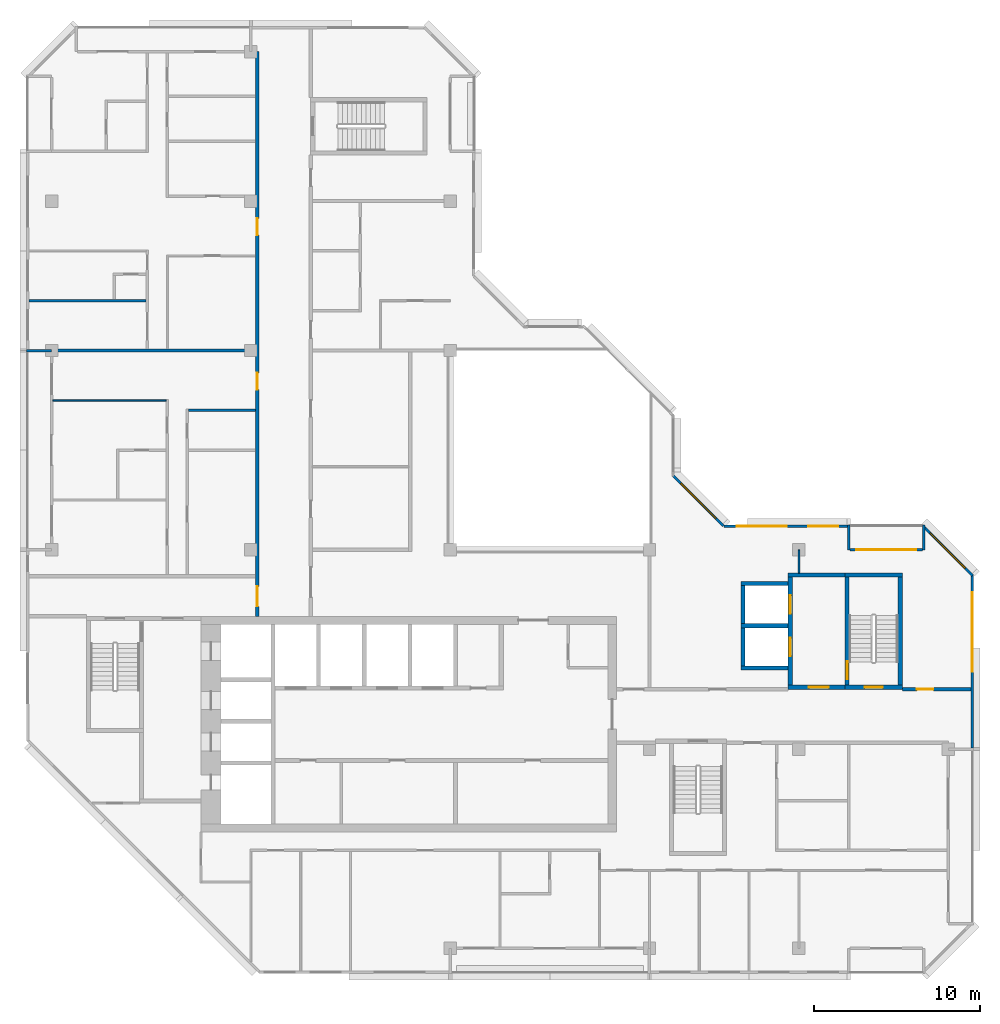
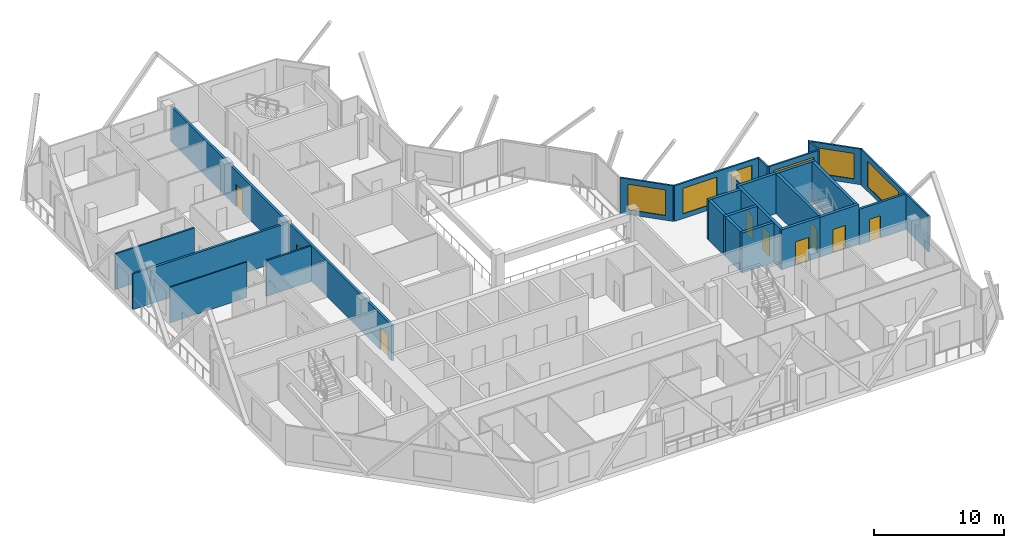
# One storey, part 7 of 12: 27 walls, 9 doors, 6 windows, 15 openings.
"""IFC4 building model written with IfcOpenShell, lengths in metres."""

from ifc_helpers import new_model, si_unit, direction, frame, frame_2d, origin, place, context, subcontext, project, spatial, rectangle, extrude, material, layer, layer_set, type_object, element, fill, save


model = new_model("IFC4")

# Units and contexts
model_context = context("Model", 3, precision=1e-05, world=origin(), true_north=direction((0.0, 1.0)))
body_context = subcontext(model_context, "Body", "Model", "MODEL_VIEW")
ifc_project = project(units=[si_unit("LENGTHUNIT", "METRE"), si_unit("AREAUNIT", "SQUARE_METRE"), si_unit("VOLUMEUNIT", "CUBIC_METRE"), si_unit("PLANEANGLEUNIT", "RADIAN"), si_unit("MASSUNIT", "GRAM", prefix="KILO")], contexts=[model_context])

# Site, building, storey
site_placement = place(None, origin())
site = spatial("IfcSite", under=ifc_project, at=site_placement, CompositionType="ELEMENT")
building_placement = place(site_placement, origin())
building = spatial("IfcBuilding", under=site, at=building_placement, Name="Chenar Terraces", CompositionType="ELEMENT")
storey_placement = place(building_placement, frame((0.0, 0.0, 353.89990234375)))
storey = spatial("IfcBuildingStorey", under=building, at=storey_placement, Name="L82", CompositionType="ELEMENT", Elevation=353.89990234375)

# Wall, opening, door
ifc_material_1 = material(Name="Concrete C50/60", Category="concrete")
ifc_layer_1 = layer(ifc_material_1, 0.25)
ifc_layer_set_1 = layer_set([ifc_layer_1], Name="Concrete C50/60")
wall_type_1 = type_object("IfcWallType", Name="Core wall 250 Concrete C50/60", PredefinedType="SHEAR", material=ifc_layer_set_1)
wall_1_placement = place(storey_placement, frame((47.77490234375, 15.72509765625, 0.0), z_axis=(0.0, 0.0, 1.0), x_axis=(1.0, 0.0, 0.0)))
wall_1 = element("IfcWall", 1, at=wall_1_placement, inside=storey, type_object=wall_type_1, Name="Core wall ST3_S L82", PredefinedType="SHEAR", context=body_context, shape_type="SweptSolid", body=[
    extrude(rectangle(XDim=3.4501953125, YDim=0.25, at=frame_2d((1.72509765625, 0.0))), origin(), (0.0, 0.0, 1.0), 3.75),
])
opening_1_placement = place(wall_1_placement, frame((1.175048828125, 0.0, 0.0)))
opening_1 = element("IfcOpeningElement", 2, at=opening_1_placement, cuts=wall_1, Name="Opening DL82-C8", PredefinedType="OPENING", context=body_context, shape_type="SweptSolid", body=[
    extrude(rectangle(XDim=1.10009765625, YDim=2.199951171875, at=frame_2d((0.550048828125, 1.10009765625))), frame((0.0, 0.135009765625, 0.0), z_axis=(0.0, -1.0, 0.0), x_axis=(1.0, 0.0, 0.0)), (0.0, 0.0, 1.0), 0.27001953125),
])
ifc_material_2 = material(Name="Steel-framed fire-resisting door leaf", Category="steel")
door_type_1 = type_object("IfcDoorType", Name="Stair fire door FD60 1100 x 2200", OperationType="SINGLE_SWING_LEFT", PredefinedType="DOOR", material=ifc_material_2)
door_1_placement = place(opening_1_placement, frame((1.10009765625, 0.0, 0.0), z_axis=(0.0, 0.0, 1.0), x_axis=(-1.0, 0.0, 0.0)))
door_1 = element("IfcDoor", 3, at=door_1_placement, inside=storey, type_object=door_type_1, Name="Stair door DL82-C8", OperationType="SINGLE_SWING_LEFT", OverallHeight=2.199951171875, OverallWidth=1.10009765625, PredefinedType="DOOR", context=body_context, shape_type="SweptSolid", body=[
    extrude(rectangle(XDim=1.10009765625, YDim=2.199951171875, at=frame_2d((0.550048828125, 1.10009765625))), frame((0.0, 0.02490234375, 0.0), z_axis=(0.0, -1.0, 0.0), x_axis=(1.0, 0.0, 0.0)), (0.0, 0.0, 1.0), 0.050048828125),
])
fill(opening_1, door_1)

# Wall
wall_2_placement = place(storey_placement, frame((47.77490234375, 22.47509765625, 0.0), z_axis=(0.0, 0.0, 1.0), x_axis=(1.0, 0.0, 0.0)))
element("IfcWall", 4, at=wall_2_placement, inside=storey, type_object=wall_type_1, Name="Core wall ST3_N L82", PredefinedType="SHEAR", context=body_context, shape_type="SweptSolid", body=[
    extrude(rectangle(XDim=3.4501953125, YDim=0.25, at=frame_2d((1.72509765625, 0.0))), origin(), (0.0, 0.0, 1.0), 3.75),
])

# Wall, opening, door
wall_3_placement = place(storey_placement, frame((47.89990234375, 15.85009765625, 0.0), z_axis=(0.0, 0.0, 1.0), x_axis=(0.0, 1.0, 0.0)))
wall_3 = element("IfcWall", 5, at=wall_3_placement, inside=storey, type_object=wall_type_1, Name="Core wall ST3_W L82", PredefinedType="SHEAR", context=body_context, shape_type="SweptSolid", body=[
    extrude(rectangle(XDim=6.5, YDim=0.25, at=frame_2d((3.25, 0.0))), origin(), (0.0, 0.0, 1.0), 3.75),
])
opening_2_placement = place(wall_3_placement, frame((0.35009765625, 0.0, 0.0)))
opening_2 = element("IfcOpeningElement", 6, at=opening_2_placement, cuts=wall_3, Name="Opening DL82-C11", PredefinedType="OPENING", context=body_context, shape_type="SweptSolid", body=[
    extrude(rectangle(XDim=1.10009765625, YDim=2.199951171875, at=frame_2d((0.550048828125, 1.10009765625))), frame((0.0, 0.135009765625, 0.0), z_axis=(0.0, -1.0, 0.0), x_axis=(1.0, 0.0, 0.0)), (0.0, 0.0, 1.0), 0.27001953125),
])
door_2_placement = place(opening_2_placement, frame((1.10009765625, 0.0, 0.0), z_axis=(0.0, 0.0, 1.0), x_axis=(-1.0, 0.0, 0.0)))
door_2 = element("IfcDoor", 7, at=door_2_placement, inside=storey, type_object=door_type_1, Name="Stair door DL82-C11", OperationType="SINGLE_SWING_RIGHT", OverallHeight=2.199951171875, OverallWidth=1.10009765625, PredefinedType="DOOR", context=body_context, shape_type="SweptSolid", body=[
    extrude(rectangle(XDim=1.10009765625, YDim=2.199951171875, at=frame_2d((0.550048828125, 1.10009765625))), frame((0.0, 0.02490234375, 0.0), z_axis=(0.0, -1.0, 0.0), x_axis=(1.0, 0.0, 0.0)), (0.0, 0.0, 1.0), 0.050048828125),
])
fill(opening_2, door_2)

# Wall
wall_4_placement = place(storey_placement, frame((51.10009765625, 15.85009765625, 0.0), z_axis=(0.0, 0.0, 1.0), x_axis=(0.0, 1.0, 0.0)))
element("IfcWall", 8, at=wall_4_placement, inside=storey, type_object=wall_type_1, Name="Core wall ST3_E L82", PredefinedType="SHEAR", context=body_context, shape_type="SweptSolid", body=[
    extrude(rectangle(XDim=6.5, YDim=0.25, at=frame_2d((3.25, 0.0))), origin(), (0.0, 0.0, 1.0), 3.75),
])

# Wall, opening, door
wall_5_placement = place(storey_placement, frame((44.35009765625, 15.72509765625, 0.0), z_axis=(0.0, 0.0, 1.0), x_axis=(1.0, 0.0, 0.0)))
wall_5 = element("IfcWall", 9, at=wall_5_placement, inside=storey, type_object=wall_type_1, Name="Core wall F3_LS L82", PredefinedType="SHEAR", context=body_context, shape_type="SweptSolid", body=[
    extrude(rectangle(XDim=3.4248046875, YDim=0.25, at=frame_2d((1.71240234375, 0.0))), origin(), (0.0, 0.0, 1.0), 3.75),
])
opening_3_placement = place(wall_5_placement, frame((1.25, 0.0, 0.0)))
opening_3 = element("IfcOpeningElement", 10, at=opening_3_placement, cuts=wall_5, Name="Opening DL82-C10", PredefinedType="OPENING", context=body_context, shape_type="SweptSolid", body=[
    extrude(rectangle(XDim=1.199951171875, YDim=2.199951171875, at=frame_2d((0.60009765625, 1.10009765625))), frame((0.0, 0.135009765625, 0.0), z_axis=(0.0, -1.0, 0.0), x_axis=(1.0, 0.0, 0.0)), (0.0, 0.0, 1.0), 0.27001953125),
])
ifc_material_3 = material(Name="Steel-framed fire-resisting door leaf", Category="steel")
door_type_2 = type_object("IfcDoorType", Name="Lobby fire door FD60 1200 x 2200", OperationType="SINGLE_SWING_LEFT", PredefinedType="DOOR", material=ifc_material_3)
door_3_placement = place(opening_3_placement, origin())
door_3 = element("IfcDoor", 11, at=door_3_placement, inside=storey, type_object=door_type_2, Name="Core door DL82-C10", OperationType="SINGLE_SWING_RIGHT", OverallHeight=2.199951171875, OverallWidth=1.199951171875, PredefinedType="DOOR", context=body_context, shape_type="SweptSolid", body=[
    extrude(rectangle(XDim=1.199951171875, YDim=2.199951171875, at=frame_2d((0.60009765625, 1.10009765625))), frame((0.0, 0.02490234375, 0.0), z_axis=(0.0, -1.0, 0.0), x_axis=(1.0, 0.0, 0.0)), (0.0, 0.0, 1.0), 0.050048828125),
])
fill(opening_3, door_3)

# Wall
wall_6_placement = place(storey_placement, frame((44.35009765625, 22.47509765625, 0.0), z_axis=(0.0, 0.0, 1.0), x_axis=(1.0, 0.0, 0.0)))
element("IfcWall", 12, at=wall_6_placement, inside=storey, type_object=wall_type_1, Name="Core wall F3_LN L82", PredefinedType="SHEAR", context=body_context, shape_type="SweptSolid", body=[
    extrude(rectangle(XDim=3.4248046875, YDim=0.25, at=frame_2d((1.71240234375, 0.0))), origin(), (0.0, 0.0, 1.0), 3.75),
])

# Wall, openings, doors
wall_7_placement = place(storey_placement, frame((44.47509765625, 15.85009765625, 0.0), z_axis=(0.0, 0.0, 1.0), x_axis=(0.0, 1.0, 0.0)))
wall_7 = element("IfcWall", 13, at=wall_7_placement, inside=storey, type_object=wall_type_1, Name="Core wall F3_LW L82", PredefinedType="SHEAR", context=body_context, shape_type="SweptSolid", body=[
    extrude(rectangle(XDim=6.5, YDim=0.25, at=frame_2d((3.25, 0.0))), origin(), (0.0, 0.0, 1.0), 3.75),
])
opening_4_placement = place(wall_7_placement, frame((1.75, 0.0, 0.0)))
opening_4 = element("IfcOpeningElement", 14, at=opening_4_placement, cuts=wall_7, Name="Opening DL82-LD8", PredefinedType="OPENING", context=body_context, shape_type="SweptSolid", body=[
    extrude(rectangle(XDim=1.10009765625, YDim=2.199951171875, at=frame_2d((0.550048828125, 1.10009765625))), frame((0.0, 0.135009765625, 0.0), z_axis=(0.0, -1.0, 0.0), x_axis=(1.0, 0.0, 0.0)), (0.0, 0.0, 1.0), 0.27001953125),
])
opening_5_placement = place(wall_7_placement, frame((4.300048828125, 0.0, 0.0)))
opening_5 = element("IfcOpeningElement", 15, at=opening_5_placement, cuts=wall_7, Name="Opening DL82-LD9", PredefinedType="OPENING", context=body_context, shape_type="SweptSolid", body=[
    extrude(rectangle(XDim=1.10009765625, YDim=2.199951171875, at=frame_2d((0.550048828125, 1.10009765625))), frame((0.0, 0.135009765625, 0.0), z_axis=(0.0, -1.0, 0.0), x_axis=(1.0, 0.0, 0.0)), (0.0, 0.0, 1.0), 0.27001953125),
])
ifc_material_4 = material(Name="Stainless steel", Category="steel")
door_type_3 = type_object("IfcDoorType", Name="Lift landing door 1100 x 2200 sliding", OperationType="DOUBLE_DOOR_SLIDING", PredefinedType="DOOR", material=ifc_material_4)
door_4_placement = place(opening_4_placement, origin())
door_4 = element("IfcDoor", 16, at=door_4_placement, inside=storey, type_object=door_type_3, Name="Landing door F3", OperationType="DOUBLE_DOOR_SLIDING", OverallHeight=2.199951171875, OverallWidth=1.10009765625, PredefinedType="DOOR", context=body_context, shape_type="SweptSolid", body=[
    extrude(rectangle(XDim=1.10009765625, YDim=2.199951171875, at=frame_2d((0.550048828125, 1.10009765625))), frame((0.0, 0.02490234375, 0.0), z_axis=(0.0, -1.0, 0.0), x_axis=(1.0, 0.0, 0.0)), (0.0, 0.0, 1.0), 0.050048828125),
])
fill(opening_4, door_4)
door_5_placement = place(opening_5_placement, origin())
door_5 = element("IfcDoor", 17, at=door_5_placement, inside=storey, type_object=door_type_3, Name="Landing door F4", OperationType="DOUBLE_DOOR_SLIDING", OverallHeight=2.199951171875, OverallWidth=1.10009765625, PredefinedType="DOOR", context=body_context, shape_type="SweptSolid", body=[
    extrude(rectangle(XDim=1.10009765625, YDim=2.199951171875, at=frame_2d((0.550048828125, 1.10009765625))), frame((0.0, 0.02490234375, 0.0), z_axis=(0.0, -1.0, 0.0), x_axis=(1.0, 0.0, 0.0)), (0.0, 0.0, 1.0), 0.050048828125),
])
fill(opening_5, door_5)

# Walls
for number, where, z_axis, x_axis, name in (
    (18, (41.5, 16.875, 0.0), (0.0, 0.0, 1.0), (1.0, 0.0, 0.0), "Core wall F3_SS L82"),
    (19, (41.5, 19.425048828125, 0.0), (0.0, 0.0, 1.0), (1.0, 0.0, 0.0), "Core wall F3_SM L82"),
    (20, (41.5, 21.97509765625, 0.0), (0.0, 0.0, 1.0), (1.0, 0.0, 0.0), "Core wall F4_SN L82"),
):
    element("IfcWall", number, at=place(storey_placement, frame(where, z_axis=z_axis, x_axis=x_axis)), inside=storey, type_object=wall_type_1, Name=name, PredefinedType="SHEAR", context=body_context, shape_type="SweptSolid", body=[
        extrude(rectangle(XDim=2.85009765625, YDim=0.25, at=frame_2d((1.425048828125, 0.0))), origin(), (0.0, 0.0, 1.0), 3.75),
    ])
for number, where, z_axis, x_axis, name in (
    (21, (41.625, 17.0, 0.0), (0.0, 0.0, 1.0), (0.0, 1.0, 0.0), "Core wall F3_SW L82"),
    (22, (41.625, 19.550048828125, 0.0), (0.0, 0.0, 1.0), (0.0, 1.0, 0.0), "Core wall F4_SW L82"),
):
    element("IfcWall", number, at=place(storey_placement, frame(where, z_axis=z_axis, x_axis=x_axis)), inside=storey, type_object=wall_type_1, Name=name, PredefinedType="SHEAR", context=body_context, shape_type="SweptSolid", body=[
        extrude(rectangle(XDim=2.300048828125, YDim=0.25, at=frame_2d((1.14990234375, 0.0))), origin(), (0.0, 0.0, 1.0), 3.75),
    ])

# Wall, openings, doors
ifc_material_5 = material(Name="Gypsum board on steel studs with fire boards", Category="steel")
ifc_layer_2 = layer(ifc_material_5, 0.199951171875)
ifc_layer_set_2 = layer_set([ifc_layer_2], Name="Gypsum board on steel studs with fire boards")
wall_type_2 = type_object("IfcWallType", Name="Corridor wall 200", PredefinedType="PARTITIONING", material=ifc_layer_set_2)
wall_8_placement = place(storey_placement, frame((12.375, 20.0, 0.0), z_axis=(0.0, 0.0, 1.0), x_axis=(0.0, 1.0, 0.0)))
wall_8 = element("IfcWall", 23, at=wall_8_placement, inside=storey, type_object=wall_type_2, Name="Partition L82-032", PredefinedType="PARTITIONING", context=body_context, shape_type="SweptSolid", body=[
    extrude(rectangle(XDim=34.0, YDim=0.199951171875, at=frame_2d((17.0, 0.0))), origin(), (0.0, 0.0, 1.0), 3.35009765625),
])
opening_6_placement = place(wall_8_placement, frame((22.949951171875, 0.0, 0.0)))
opening_6 = element("IfcOpeningElement", 24, at=opening_6_placement, cuts=wall_8, Name="Opening DL82-13", PredefinedType="OPENING", context=body_context, shape_type="SweptSolid", body=[
    extrude(rectangle(XDim=1.0, YDim=2.10009765625, at=frame_2d((0.5, 1.050048828125))), frame((0.0, 0.10986328125, 0.0), z_axis=(0.0, -1.0, 0.0), x_axis=(1.0, 0.0, 0.0)), (0.0, 0.0, 1.0), 0.219970703125),
])
opening_7_placement = place(wall_8_placement, frame((0.60009765625, 0.0, 0.0)))
opening_7 = element("IfcOpeningElement", 25, at=opening_7_placement, cuts=wall_8, Name="Opening DL82-20", PredefinedType="OPENING", context=body_context, shape_type="SweptSolid", body=[
    extrude(rectangle(XDim=1.199951171875, YDim=2.10009765625, at=frame_2d((0.60009765625, 1.050048828125))), frame((0.0, 0.10986328125, 0.0), z_axis=(0.0, -1.0, 0.0), x_axis=(1.0, 0.0, 0.0)), (0.0, 0.0, 1.0), 0.219970703125),
])
opening_8_placement = place(wall_8_placement, frame((13.64990234375, 0.0, 0.0)))
opening_8 = element("IfcOpeningElement", 26, at=opening_8_placement, cuts=wall_8, Name="Opening DL82-44", PredefinedType="OPENING", context=body_context, shape_type="SweptSolid", body=[
    extrude(rectangle(XDim=1.0, YDim=2.10009765625, at=frame_2d((0.5, 1.050048828125))), frame((0.0, 0.10986328125, 0.0), z_axis=(0.0, -1.0, 0.0), x_axis=(1.0, 0.0, 0.0)), (0.0, 0.0, 1.0), 0.219970703125),
])
ifc_material_6 = material(Name="Steel-framed fire-resisting door leaf", Category="steel")
door_type_4 = type_object("IfcDoorType", Name="Fire door FD30S 1000 x 2100", OperationType="SINGLE_SWING_LEFT", PredefinedType="DOOR", material=ifc_material_6)
door_6_placement = place(opening_6_placement, origin())
door_6 = element("IfcDoor", 27, at=door_6_placement, inside=storey, type_object=door_type_4, Name="Door DL82-13", OperationType="SINGLE_SWING_RIGHT", OverallHeight=2.10009765625, OverallWidth=1.0, PredefinedType="DOOR", context=body_context, shape_type="SweptSolid", body=[
    extrude(rectangle(XDim=1.0, YDim=2.10009765625, at=frame_2d((0.5, 1.050048828125))), frame((0.0, 0.02490234375, 0.0), z_axis=(0.0, -1.0, 0.0), x_axis=(1.0, 0.0, 0.0)), (0.0, 0.0, 1.0), 0.050048828125),
])
fill(opening_6, door_6)
door_7_placement = place(opening_8_placement, origin())
door_7 = element("IfcDoor", 28, at=door_7_placement, inside=storey, type_object=door_type_4, Name="Door DL82-44", OperationType="SINGLE_SWING_RIGHT", OverallHeight=2.10009765625, OverallWidth=1.0, PredefinedType="DOOR", context=body_context, shape_type="SweptSolid", body=[
    extrude(rectangle(XDim=1.0, YDim=2.10009765625, at=frame_2d((0.5, 1.050048828125))), frame((0.0, 0.02490234375, 0.0), z_axis=(0.0, -1.0, 0.0), x_axis=(1.0, 0.0, 0.0)), (0.0, 0.0, 1.0), 0.050048828125),
])
fill(opening_8, door_7)
ifc_material_7 = material(Name="Steel-framed fire-resisting door leaf", Category="steel")
door_type_5 = type_object("IfcDoorType", Name="Fire door FD30S 1200 x 2100", OperationType="SINGLE_SWING_LEFT", PredefinedType="DOOR", material=ifc_material_7)
door_8_placement = place(opening_7_placement, origin())
door_8 = element("IfcDoor", 29, at=door_8_placement, inside=storey, type_object=door_type_5, Name="Door DL82-20", OperationType="SINGLE_SWING_RIGHT", OverallHeight=2.10009765625, OverallWidth=1.199951171875, PredefinedType="DOOR", context=body_context, shape_type="SweptSolid", body=[
    extrude(rectangle(XDim=1.199951171875, YDim=2.10009765625, at=frame_2d((0.60009765625, 1.050048828125))), frame((0.0, 0.02490234375, 0.0), z_axis=(0.0, -1.0, 0.0), x_axis=(1.0, 0.0, 0.0)), (0.0, 0.0, 1.0), 0.050048828125),
])
fill(opening_7, door_8)

# Wall, opening, door
wall_9_placement = place(storey_placement, frame((51.22509765625, 15.60009765625, 0.0), z_axis=(0.0, 0.0, 1.0), x_axis=(1.0, 0.0, 0.0)))
wall_9 = element("IfcWall", 30, at=wall_9_placement, inside=storey, type_object=wall_type_2, Name="Partition L82-065", PredefinedType="PARTITIONING", context=body_context, shape_type="SweptSolid", body=[
    extrude(rectangle(XDim=4.125, YDim=0.199951171875, at=frame_2d((2.0625, 0.0))), origin(), (0.0, 0.0, 1.0), 3.35009765625),
])
opening_9_placement = place(wall_9_placement, frame((0.875, 0.0, 0.0)))
opening_9 = element("IfcOpeningElement", 31, at=opening_9_placement, cuts=wall_9, Name="Opening DL82-21", PredefinedType="OPENING", context=body_context, shape_type="SweptSolid", body=[
    extrude(rectangle(XDim=1.0, YDim=2.10009765625, at=frame_2d((0.5, 1.050048828125))), frame((0.0, 0.10986328125, 0.0), z_axis=(0.0, -1.0, 0.0), x_axis=(1.0, 0.0, 0.0)), (0.0, 0.0, 1.0), 0.219970703125),
])
ifc_material_8 = material(Name="Steel-framed fire-resisting door leaf", Category="steel")
door_type_6 = type_object("IfcDoorType", Name="Fire door FD60 1000 x 2100", OperationType="SINGLE_SWING_LEFT", PredefinedType="DOOR", material=ifc_material_8)
door_9_placement = place(opening_9_placement, origin())
door_9 = element("IfcDoor", 32, at=door_9_placement, inside=storey, type_object=door_type_6, Name="Door DL82-21", OperationType="SINGLE_SWING_LEFT", OverallHeight=2.10009765625, OverallWidth=1.0, PredefinedType="DOOR", context=body_context, shape_type="SweptSolid", body=[
    extrude(rectangle(XDim=1.0, YDim=2.10009765625, at=frame_2d((0.5, 1.050048828125))), frame((0.0, 0.02490234375, 0.0), z_axis=(0.0, -1.0, 0.0), x_axis=(1.0, 0.0, 0.0)), (0.0, 0.0, 1.0), 0.050048828125),
])
fill(opening_9, door_9)

# Wall, openings, windows
ifc_material_9 = material(Name="Aluminium framed glazing", Category="aluminium")
ifc_layer_3 = layer(ifc_material_9, 0.14990234375)
ifc_layer_set_3 = layer_set([ifc_layer_3], Name="Aluminium framed glazing")
wall_type_3 = type_object("IfcWallType", Name="Glazed flush facade wall 150", PredefinedType="SOLIDWALL", material=ifc_layer_set_3)
wall_10_placement = place(storey_placement, frame((47.925048828125, 25.425048828125, 0.0), z_axis=(0.0, 0.0, 1.0), x_axis=(-1.0, 0.0, 0.0)))
wall_10 = element("IfcWall", 33, at=wall_10_placement, inside=storey, type_object=wall_type_3, Name="Glazed flush facade wall", PredefinedType="SOLIDWALL", context=body_context, shape_type="SweptSolid", body=[
    extrude(rectangle(XDim=7.425048828125, YDim=0.14990234375, at=frame_2d((3.71240234375, 0.0))), origin(), (0.0, 0.0, 1.0), 3.35009765625),
])
opening_10_placement = place(wall_10_placement, frame((0.5625, 0.0, 0.449951171875)))
opening_10 = element("IfcOpeningElement", 34, at=opening_10_placement, cuts=wall_10, Name="Opening W180x240", PredefinedType="OPENING", context=body_context, shape_type="SweptSolid", body=[
    extrude(rectangle(XDim=1.800048828125, YDim=2.39990234375, at=frame_2d((0.89990234375, 1.199951171875))), frame((0.0, 0.0849609375, 0.0), z_axis=(0.0, -1.0, 0.0), x_axis=(1.0, 0.0, 0.0)), (0.0, 0.0, 1.0), 0.169921875),
])
opening_11_placement = place(wall_10_placement, frame((3.675048828125, 0.0, 0.449951171875)))
opening_11 = element("IfcOpeningElement", 35, at=opening_11_placement, cuts=wall_10, Name="Opening W300x240", PredefinedType="OPENING", context=body_context, shape_type="SweptSolid", body=[
    extrude(rectangle(XDim=3.0, YDim=2.39990234375, at=frame_2d((1.5, 1.199951171875))), frame((0.0, 0.0849609375, 0.0), z_axis=(0.0, -1.0, 0.0), x_axis=(1.0, 0.0, 0.0)), (0.0, 0.0, 1.0), 0.169921875),
])
ifc_material_10 = material(Name="Low emissivity double glazing, aluminium frame", Category="aluminium")
window_type_1 = type_object("IfcWindowType", Name="Fixed light 1800 x 2400", PartitioningType="SINGLE_PANEL", PredefinedType="WINDOW", material=ifc_material_10)
window_1_placement = place(opening_10_placement, origin())
window_1 = element("IfcWindow", 36, at=window_1_placement, inside=storey, type_object=window_type_1, Name="Window", OverallHeight=2.39990234375, OverallWidth=1.800048828125, PartitioningType="SINGLE_PANEL", PredefinedType="WINDOW", context=body_context, shape_type="SweptSolid", body=[
    extrude(rectangle(XDim=1.800048828125, YDim=2.39990234375, at=frame_2d((0.89990234375, 1.199951171875))), frame((0.0, 0.030029296875, 0.0), z_axis=(0.0, -1.0, 0.0), x_axis=(1.0, 0.0, 0.0)), (0.0, 0.0, 1.0), 0.06005859375),
])
fill(opening_10, window_1)
ifc_material_11 = material(Name="Low emissivity double glazing, aluminium frame", Category="aluminium")
window_type_2 = type_object("IfcWindowType", Name="Fixed light 3000 x 2400", PartitioningType="SINGLE_PANEL", PredefinedType="WINDOW", material=ifc_material_11)
window_2_placement = place(opening_11_placement, origin())
window_2 = element("IfcWindow", 37, at=window_2_placement, inside=storey, type_object=window_type_2, Name="Window", OverallHeight=2.39990234375, OverallWidth=3.0, PartitioningType="SINGLE_PANEL", PredefinedType="WINDOW", context=body_context, shape_type="SweptSolid", body=[
    extrude(rectangle(XDim=3.0, YDim=2.39990234375, at=frame_2d((1.5, 1.199951171875))), frame((0.0, 0.030029296875, 0.0), z_axis=(0.0, -1.0, 0.0), x_axis=(1.0, 0.0, 0.0)), (0.0, 0.0, 1.0), 0.06005859375),
])
fill(opening_11, window_2)

# Wall, opening, window
wall_11_placement = place(storey_placement, frame((55.425048828125, 12.074951171875, 0.0), z_axis=(0.0, 0.0, 1.0), x_axis=(0.0, 1.0, 0.0)))
wall_11 = element("IfcWall", 38, at=wall_11_placement, inside=storey, type_object=wall_type_3, Name="Glazed flush facade wall", PredefinedType="SOLIDWALL", context=body_context, shape_type="SweptSolid", body=[
    extrude(rectangle(XDim=10.425048828125, YDim=0.14990234375, at=frame_2d((5.21240234375, 0.0))), origin(), (0.0, 0.0, 1.0), 3.35009765625),
])
opening_12_placement = place(wall_11_placement, frame((4.574951171875, 0.0, 0.449951171875)))
opening_12 = element("IfcOpeningElement", 39, at=opening_12_placement, cuts=wall_11, Name="Opening W480x240", PredefinedType="OPENING", context=body_context, shape_type="SweptSolid", body=[
    extrude(rectangle(XDim=4.800048828125, YDim=2.39990234375, at=frame_2d((2.39990234375, 1.199951171875))), frame((0.0, 0.0849609375, 0.0), z_axis=(0.0, -1.0, 0.0), x_axis=(1.0, 0.0, 0.0)), (0.0, 0.0, 1.0), 0.169921875),
])
ifc_material_12 = material(Name="Low emissivity double glazing, aluminium frame", Category="aluminium")
window_type_3 = type_object("IfcWindowType", Name="Fixed light 4800 x 2400", PartitioningType="SINGLE_PANEL", PredefinedType="WINDOW", material=ifc_material_12)
window_3_placement = place(opening_12_placement, origin())
window_3 = element("IfcWindow", 40, at=window_3_placement, inside=storey, type_object=window_type_3, Name="Window", OverallHeight=2.39990234375, OverallWidth=4.800048828125, PartitioningType="SINGLE_PANEL", PredefinedType="WINDOW", context=body_context, shape_type="SweptSolid", body=[
    extrude(rectangle(XDim=4.800048828125, YDim=2.39990234375, at=frame_2d((2.39990234375, 1.199951171875))), frame((0.0, 0.030029296875, 0.0), z_axis=(0.0, -1.0, 0.0), x_axis=(1.0, 0.0, 0.0)), (0.0, 0.0, 1.0), 0.06005859375),
])
fill(opening_12, window_3)

ifc_material_13 = material(Name="Aluminium framed glazing", Category="aluminium")
ifc_layer_4 = layer(ifc_material_13, 0.14990234375)
ifc_layer_set_4 = layer_set([ifc_layer_4], Name="Aluminium framed glazing")
wall_type_4 = type_object("IfcWallType", Name="Glazed loggia back wall 150", PredefinedType="SOLIDWALL", material=ifc_layer_set_4)
wall_12_placement = place(storey_placement, frame((52.425048828125, 24.0, 0.0), z_axis=(0.0, 0.0, 1.0), x_axis=(-1.0, 0.0, 0.0)))
wall_12 = element("IfcWall", 41, at=wall_12_placement, inside=storey, type_object=wall_type_4, Name="Glazed loggia back wall", PredefinedType="SOLIDWALL", context=body_context, shape_type="SweptSolid", body=[
    extrude(rectangle(XDim=4.35009765625, YDim=0.14990234375, at=frame_2d((2.175048828125, 0.0))), origin(), (0.0, 0.0, 1.0), 3.35009765625),
])
opening_13_placement = place(wall_12_placement, frame((0.375, 0.0, 0.449951171875)))
opening_13 = element("IfcOpeningElement", 42, at=opening_13_placement, cuts=wall_12, Name="Opening W360x240", PredefinedType="OPENING", context=body_context, shape_type="SweptSolid", body=[
    extrude(rectangle(XDim=3.60009765625, YDim=2.39990234375, at=frame_2d((1.800048828125, 1.199951171875))), frame((0.0, 0.0849609375, 0.0), z_axis=(0.0, -1.0, 0.0), x_axis=(1.0, 0.0, 0.0)), (0.0, 0.0, 1.0), 0.169921875),
])
ifc_material_14 = material(Name="Low emissivity double glazing, aluminium frame", Category="aluminium")
window_type_4 = type_object("IfcWindowType", Name="Fixed light 3600 x 2400", PartitioningType="SINGLE_PANEL", PredefinedType="WINDOW", material=ifc_material_14)
window_4_placement = place(opening_13_placement, origin())
window_4 = element("IfcWindow", 43, at=window_4_placement, inside=storey, type_object=window_type_4, Name="Window", OverallHeight=2.39990234375, OverallWidth=3.60009765625, PartitioningType="SINGLE_PANEL", PredefinedType="WINDOW", context=body_context, shape_type="SweptSolid", body=[
    extrude(rectangle(XDim=3.60009765625, YDim=2.39990234375, at=frame_2d((1.800048828125, 1.199951171875))), frame((0.0, 0.030029296875, 0.0), z_axis=(0.0, -1.0, 0.0), x_axis=(1.0, 0.0, 0.0)), (0.0, 0.0, 1.0), 0.06005859375),
])
fill(opening_13, window_4)

# Walls
ifc_material_15 = material(Name="Gypsum board on steel studs", Category="steel")
ifc_layer_5 = layer(ifc_material_15, 0.10009765625)
ifc_layer_set_5 = layer_set([ifc_layer_5], Name="Gypsum board on steel studs")
wall_type_5 = type_object("IfcWallType", Name="Gypsum partition 100", PredefinedType="PARTITIONING", material=ifc_layer_set_5)
wall_13_placement = place(storey_placement, frame((0.073974609375, 33.0, 0.0), z_axis=(0.0, 0.0, 1.0), x_axis=(1.0, 0.0, 0.0)))
element("IfcWall", 44, at=wall_13_placement, inside=storey, type_object=wall_type_5, Name="Partition L82-008", PredefinedType="PARTITIONING", context=body_context, shape_type="SweptSolid", body=[
    extrude(rectangle(XDim=6.825927734375, YDim=0.10009765625, at=frame_2d((3.4130859375, 0.0))), origin(), (0.0, 0.0, 1.0), 3.35009765625),
])
wall_14_placement = place(storey_placement, frame((45.0, 22.60009765625, 0.0), z_axis=(0.0, 0.0, 1.0), x_axis=(0.0, 1.0, 0.0)))
element("IfcWall", 45, at=wall_14_placement, inside=storey, type_object=wall_type_5, Name="Partition L82-063", PredefinedType="PARTITIONING", context=body_context, shape_type="SweptSolid", body=[
    extrude(rectangle(XDim=1.39990234375, YDim=0.10009765625, at=frame_2d((0.699951171875, 0.0))), origin(), (0.0, 0.0, 1.0), 3.35009765625),
])
ifc_material_16 = material(Name="Terracotta cladding on insulated backing", Category="masonry")
ifc_layer_6 = layer(ifc_material_16, 0.14990234375)
ifc_layer_set_6 = layer_set([ifc_layer_6], Name="Terracotta cladding on insulated backing")
wall_type_6 = type_object("IfcWallType", Name="Loggia return wall 150", PredefinedType="SOLIDWALL", material=ifc_layer_set_6)
for number, where, z_axis, x_axis, name in (
    (46, (52.5, 25.5, 0.0), (0.0, 0.0, 1.0), (0.0, -1.0, 0.0), "Loggia return wall"),
    (47, (48.0, 25.5, 0.0), (0.0, 0.0, 1.0), (0.0, -1.0, 0.0), "Loggia return wall"),
    (48, (-1.5, 36.0, 0.0), (0.0, 0.0, 1.0), (1.0, 0.0, 0.0), "Loggia return wall"),
):
    element("IfcWall", number, at=place(storey_placement, frame(where, z_axis=z_axis, x_axis=x_axis)), inside=storey, type_object=wall_type_6, Name=name, PredefinedType="SOLIDWALL", context=body_context, shape_type="SweptSolid", body=[
        extrude(rectangle(XDim=1.5, YDim=0.14990234375, at=frame_2d((0.75, 0.0))), origin(), (0.0, 0.0, 1.0), 3.35009765625),
    ])

# Wall, opening, window
ifc_material_17 = material(Name="Terracotta cladding on insulated backing", Category="masonry")
ifc_layer_7 = layer(ifc_material_17, 0.14990234375)
ifc_layer_set_7 = layer_set([ifc_layer_7], Name="Terracotta cladding on insulated backing")
wall_type_7 = type_object("IfcWallType", Name="Terracotta rainscreen wall 150", PredefinedType="SOLIDWALL", material=ifc_layer_set_7)
wall_15_placement = place(storey_placement, frame((40.447021484375, 25.447021484375, 0.0), z_axis=(0.0, 0.0, 1.0), x_axis=(-0.707106781187, 0.707106781187, 0.0)))
wall_15 = element("IfcWall", 49, at=wall_15_placement, inside=storey, type_object=wall_type_7, Name="Terracotta rainscreen wall", PredefinedType="SOLIDWALL", context=body_context, shape_type="SweptSolid", body=[
    extrude(rectangle(XDim=4.24267578125, YDim=0.14990234375, at=frame_2d((2.121337890625, 0.0))), origin(), (0.0, 0.0, 1.0), 3.35009765625),
])
opening_14_placement = place(wall_15_placement, frame((0.621337890625, 0.0, 0.449951171875)))
opening_14 = element("IfcOpeningElement", 50, at=opening_14_placement, cuts=wall_15, Name="Opening W300x240", PredefinedType="OPENING", context=body_context, shape_type="SweptSolid", body=[
    extrude(rectangle(XDim=3.0, YDim=2.39990234375, at=frame_2d((1.5, 1.199951171875))), frame((0.0, 0.0849609375, 0.0), z_axis=(0.0, -1.0, 0.0), x_axis=(1.0, 0.0, 0.0)), (0.0, 0.0, 1.0), 0.169921875),
])
window_5_placement = place(opening_14_placement, origin())
window_5 = element("IfcWindow", 51, at=window_5_placement, inside=storey, type_object=window_type_2, Name="Window", OverallHeight=2.39990234375, OverallWidth=3.0, PartitioningType="SINGLE_PANEL", PredefinedType="WINDOW", context=body_context, shape_type="SweptSolid", body=[
    extrude(rectangle(XDim=3.0, YDim=2.39990234375, at=frame_2d((1.5, 1.199951171875))), frame((0.0, 0.030029296875, 0.0), z_axis=(0.0, -1.0, 0.0), x_axis=(1.0, 0.0, 0.0)), (0.0, 0.0, 1.0), 0.06005859375),
])
fill(opening_14, window_5)

wall_16_placement = place(storey_placement, frame((55.447021484375, 22.447021484375, 0.0), z_axis=(0.0, 0.0, 1.0), x_axis=(-0.707106781187, 0.707106781187, 0.0)))
wall_16 = element("IfcWall", 52, at=wall_16_placement, inside=storey, type_object=wall_type_7, Name="Terracotta rainscreen wall", PredefinedType="SOLIDWALL", context=body_context, shape_type="SweptSolid", body=[
    extrude(rectangle(XDim=4.24267578125, YDim=0.14990234375, at=frame_2d((2.121337890625, 0.0))), origin(), (0.0, 0.0, 1.0), 3.35009765625),
])
opening_15_placement = place(wall_16_placement, frame((0.621337890625, 0.0, 0.449951171875)))
opening_15 = element("IfcOpeningElement", 53, at=opening_15_placement, cuts=wall_16, Name="Opening W300x240", PredefinedType="OPENING", context=body_context, shape_type="SweptSolid", body=[
    extrude(rectangle(XDim=3.0, YDim=2.39990234375, at=frame_2d((1.5, 1.199951171875))), frame((0.0, 0.0849609375, 0.0), z_axis=(0.0, -1.0, 0.0), x_axis=(1.0, 0.0, 0.0)), (0.0, 0.0, 1.0), 0.169921875),
])
window_6_placement = place(opening_15_placement, origin())
window_6 = element("IfcWindow", 54, at=window_6_placement, inside=storey, type_object=window_type_2, Name="Window", OverallHeight=2.39990234375, OverallWidth=3.0, PartitioningType="SINGLE_PANEL", PredefinedType="WINDOW", context=body_context, shape_type="SweptSolid", body=[
    extrude(rectangle(XDim=3.0, YDim=2.39990234375, at=frame_2d((1.5, 1.199951171875))), frame((0.0, 0.030029296875, 0.0), z_axis=(0.0, -1.0, 0.0), x_axis=(1.0, 0.0, 0.0)), (0.0, 0.0, 1.0), 0.06005859375),
])
fill(opening_15, window_6)

# Walls
ifc_material_18 = material(Name="Twin gypsum board on steel studs with mineral wool", Category="steel")
ifc_layer_8 = layer(ifc_material_18, 0.199951171875)
ifc_layer_set_8 = layer_set([ifc_layer_8], Name="Twin gypsum board on steel studs with mineral wool")
wall_type_8 = type_object("IfcWallType", Name="Unit demising wall 200", PredefinedType="PARTITIONING", material=ifc_layer_set_8)
wall_17_placement = place(storey_placement, frame((0.0, 36.0, 0.0), z_axis=(0.0, 0.0, 1.0), x_axis=(1.0, 0.0, 0.0)))
element("IfcWall", 55, at=wall_17_placement, inside=storey, type_object=wall_type_8, Name="Partition L82-004", PredefinedType="PARTITIONING", context=body_context, shape_type="SweptSolid", body=[
    extrude(rectangle(XDim=12.27490234375, YDim=0.199951171875, at=frame_2d((6.137451171875, 0.0))), origin(), (0.0, 0.0, 1.0), 3.35009765625),
])
ifc_material_19 = material(Name="Moisture-resistant gypsum board on steel studs", Category="steel")
ifc_layer_9 = layer(ifc_material_19, 0.14990234375)
ifc_layer_set_9 = layer_set([ifc_layer_9], Name="Moisture-resistant gypsum board on steel studs")
wall_type_9 = type_object("IfcWallType", Name="Wet-room partition 150", PredefinedType="PARTITIONING", material=ifc_layer_set_9)
wall_18_placement = place(storey_placement, frame((-1.35107421875, 39.0, 0.0), z_axis=(0.0, 0.0, 1.0), x_axis=(1.0, 0.0, 0.0)))
element("IfcWall", 56, at=wall_18_placement, inside=storey, type_object=wall_type_9, Name="Partition L82-001", PredefinedType="PARTITIONING", context=body_context, shape_type="SweptSolid", body=[
    extrude(rectangle(XDim=7.051025390625, YDim=0.14990234375, at=frame_2d((3.525390625, 0.0))), origin(), (0.0, 0.0, 1.0), 3.35009765625),
])
wall_19_placement = place(storey_placement, frame((8.25, 32.39990234375, 0.0), z_axis=(0.0, 0.0, 1.0), x_axis=(1.0, 0.0, 0.0)))
element("IfcWall", 57, at=wall_19_placement, inside=storey, type_object=wall_type_9, Name="Partition L82-027", PredefinedType="PARTITIONING", context=body_context, shape_type="SweptSolid", body=[
    extrude(rectangle(XDim=4.02490234375, YDim=0.14990234375, at=frame_2d((2.012451171875, 0.0))), origin(), (0.0, 0.0, 1.0), 3.35009765625),
])

save(model, "model.ifc")
